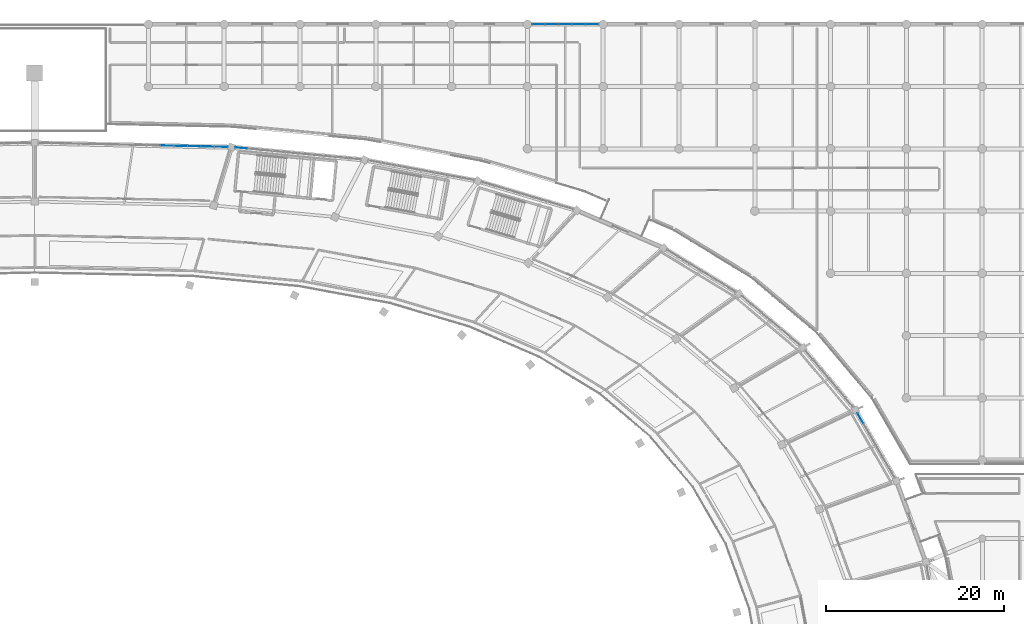
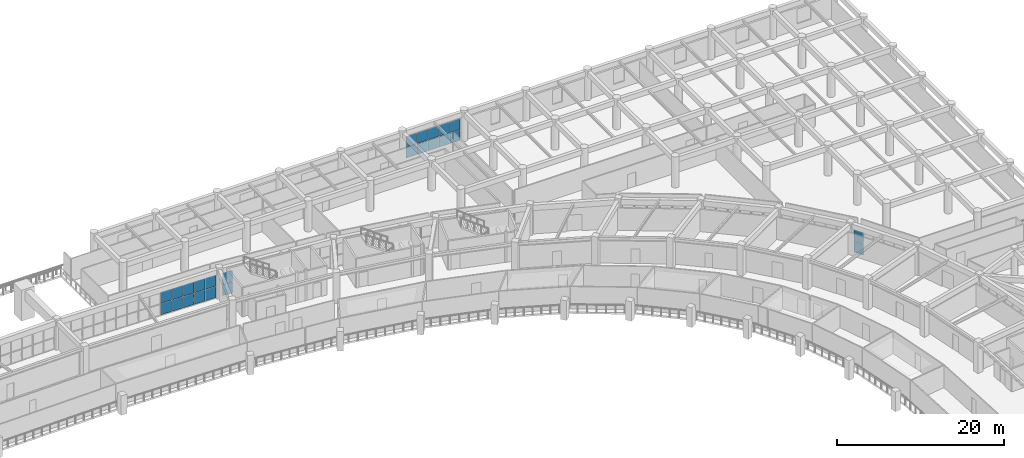
# One storey, part 87 of 141: 24 plates, 4 elements without a shape of their own.
"""IFC4 building model written with IfcOpenShell, lengths in metres."""

from ifc_helpers import new_model, si_unit, direction, frame, origin, origin_2d, place, context, subcontext, project, spatial, rectangle, extrude, material, layer, layer_set, type_object, element, aggregate, save


model = new_model("IFC4")

# Units and contexts
model_context = context("Model", 3, precision=1e-05, world=origin(), true_north=direction((0.0, 1.0)))
body_context = subcontext(model_context, "Body", "Model", "MODEL_VIEW")
ifc_project = project(units=[si_unit("LENGTHUNIT", "METRE"), si_unit("AREAUNIT", "SQUARE_METRE"), si_unit("VOLUMEUNIT", "CUBIC_METRE"), si_unit("PLANEANGLEUNIT", "RADIAN"), si_unit("MASSUNIT", "GRAM", prefix="KILO")], contexts=[model_context])

# Site, building, storey
site_placement = place(None, origin())
site = spatial("IfcSite", under=ifc_project, at=site_placement, CompositionType="ELEMENT")
building_placement = place(site_placement, origin())
building = spatial("IfcBuilding", under=site, at=building_placement, Name="Mphavela Belvedere Stadium", CompositionType="ELEMENT")
storey_placement = place(building_placement, frame((0.0, 0.0, 14.699951171875)))
storey = spatial("IfcBuildingStorey", under=building, at=storey_placement, Name="L03", CompositionType="ELEMENT", Elevation=14.699951171875)

# Curtain wall, plates
ifc_material_1 = material(Name="Anodised bronze unitised curtain wall framing")
ifc_layer_1 = layer(ifc_material_1, 0.18994140625)
ifc_layer_set_1 = layer_set([ifc_layer_1], Name="Anodised bronze unitised curtain wall framing")
curtain_wall_type_1 = type_object("IfcCurtainWallType", Name="CW-UNIT-03", PredefinedType="USERDEFINED", material=ifc_layer_set_1)
curtain_wall_1_placement = place(storey_placement, origin())
curtain_wall_1 = element("IfcCurtainWall", 1, at=curtain_wall_1_placement, inside=storey, type_object=curtain_wall_type_1, Name="Belvedere colonnade curtain wall L03-04", ObjectType="UNITISED CURTAIN WALL", PredefinedType="USERDEFINED")
ifc_material_2 = material(Name="Solar-control double glazing", Category="glass")
ifc_layer_2 = layer(ifc_material_2, 0.031982421875)
ifc_layer_set_2 = layer_set([ifc_layer_2], Name="Solar-control double glazing")
plate_type = type_object("IfcPlateType", Name="CWP-SOLAR-GLASS", PredefinedType="CURTAIN_PANEL", material=ifc_layer_set_2)
plate_1_placement = place(storey_placement, frame((207.790771484375, 129.71337890625, 0.06005859375), z_axis=(0.0, 0.0, 1.0), x_axis=(-0.50055409961, 0.865705257789, 0.0)))
plate_1 = element("IfcPlate", 2, at=plate_1_placement, type_object=plate_type, Name="CW-03 panel 6.1", PredefinedType="CURTAIN_PANEL", context=body_context, shape_type="SweptSolid", body=[
    extrude(rectangle(XDim=1.314453125, YDim=0.031982421875, at=origin_2d()), origin(), (0.0, 0.0, 1.0), 1.6201171875),
])
plate_2_placement = place(storey_placement, frame((207.790771484375, 129.71337890625, 1.739990234375), z_axis=(0.0, 0.0, 1.0), x_axis=(-0.50055409961, 0.865705257789, 0.0)))
plate_2 = element("IfcPlate", 3, at=plate_2_placement, type_object=plate_type, Name="CW-03 panel 6.2", PredefinedType="CURTAIN_PANEL", context=body_context, shape_type="SweptSolid", body=[
    extrude(rectangle(XDim=1.314453125, YDim=0.031982421875, at=origin_2d()), origin(), (0.0, 0.0, 1.0), 1.6201171875),
])
aggregate(curtain_wall_1, [plate_1, plate_2])

curtain_wall_2_placement = place(storey_placement, origin())
curtain_wall_2 = element("IfcCurtainWall", 4, at=curtain_wall_2_placement, inside=storey, type_object=curtain_wall_type_1, Name="Belvedere colonnade curtain wall L03-11", ObjectType="UNITISED CURTAIN WALL", PredefinedType="USERDEFINED")
plate_3_placement = place(storey_placement, frame((138.212890625, 160.089111328125, 0.06005859375), z_axis=(0.0, 0.0, 1.0), x_axis=(-0.99548400913, 0.094929381996, 0.0)))
plate_3 = element("IfcPlate", 5, at=plate_3_placement, type_object=plate_type, Name="CW-03 panel 10.1", PredefinedType="CURTAIN_PANEL", context=body_context, shape_type="SweptSolid", body=[
    extrude(rectangle(XDim=1.33056640625, YDim=0.031982421875, at=origin_2d()), origin(), (0.0, 0.0, 1.0), 1.6201171875),
])
plate_4_placement = place(storey_placement, frame((138.212890625, 160.089111328125, 1.739990234375), z_axis=(0.0, 0.0, 1.0), x_axis=(-0.99548400913, 0.094929381996, 0.0)))
plate_4 = element("IfcPlate", 6, at=plate_4_placement, type_object=plate_type, Name="CW-03 panel 10.2", PredefinedType="CURTAIN_PANEL", context=body_context, shape_type="SweptSolid", body=[
    extrude(rectangle(XDim=1.33056640625, YDim=0.031982421875, at=origin_2d()), origin(), (0.0, 0.0, 1.0), 1.6201171875),
])
aggregate(curtain_wall_2, [plate_3, plate_4])

ifc_material_3 = material(Name="Anodised bronze unitised curtain wall framing")
ifc_layer_3 = layer(ifc_material_3, 0.195068359375)
ifc_layer_set_3 = layer_set([ifc_layer_3], Name="Anodised bronze unitised curtain wall framing")
curtain_wall_type_2 = type_object("IfcCurtainWallType", Name="CW-UNIT-04", PredefinedType="USERDEFINED", material=ifc_layer_set_3)
curtain_wall_3_placement = place(storey_placement, origin())
curtain_wall_3 = element("IfcCurtainWall", 7, at=curtain_wall_3_placement, inside=storey, type_object=curtain_wall_type_2, Name="Belvedere colonnade curtain wall L03-12", ObjectType="UNITISED CURTAIN WALL", PredefinedType="USERDEFINED")
plate_5_placement = place(storey_placement, frame((135.96240234375, 160.218505859375, 0.06005859375), z_axis=(0.0, 0.0, 1.0), x_axis=(-0.999768179453, 0.02153107878, 0.0)))
plate_5 = element("IfcPlate", 8, at=plate_5_placement, type_object=plate_type, Name="CW-04 panel 1.1", PredefinedType="CURTAIN_PANEL", context=body_context, shape_type="SweptSolid", body=[
    extrude(rectangle(XDim=1.42919921875, YDim=0.031982421875, at=origin_2d()), origin(), (0.0, 0.0, 1.0), 1.6201171875),
])
plate_6_placement = place(storey_placement, frame((135.96240234375, 160.218505859375, 1.739990234375), z_axis=(0.0, 0.0, 1.0), x_axis=(-0.999768179453, 0.02153107878, 0.0)))
plate_6 = element("IfcPlate", 9, at=plate_6_placement, type_object=plate_type, Name="CW-04 panel 1.2", PredefinedType="CURTAIN_PANEL", context=body_context, shape_type="SweptSolid", body=[
    extrude(rectangle(XDim=1.42919921875, YDim=0.031982421875, at=origin_2d()), origin(), (0.0, 0.0, 1.0), 1.6201171875),
])
plate_7_placement = place(storey_placement, frame((134.4521484375, 160.251220703125, 0.06005859375), z_axis=(0.0, 0.0, 1.0), x_axis=(-0.999768179453, 0.02153107878, 0.0)))
plate_7 = element("IfcPlate", 10, at=plate_7_placement, type_object=plate_type, Name="CW-04 panel 2.1", PredefinedType="CURTAIN_PANEL", context=body_context, shape_type="SweptSolid", body=[
    extrude(rectangle(XDim=1.461669921875, YDim=0.031982421875, at=origin_2d()), origin(), (0.0, 0.0, 1.0), 1.6201171875),
])
plate_8_placement = place(storey_placement, frame((134.4521484375, 160.251220703125, 1.739990234375), z_axis=(0.0, 0.0, 1.0), x_axis=(-0.999768179453, 0.02153107878, 0.0)))
plate_8 = element("IfcPlate", 11, at=plate_8_placement, type_object=plate_type, Name="CW-04 panel 2.2", PredefinedType="CURTAIN_PANEL", context=body_context, shape_type="SweptSolid", body=[
    extrude(rectangle(XDim=1.461669921875, YDim=0.031982421875, at=origin_2d()), origin(), (0.0, 0.0, 1.0), 1.6201171875),
])
plate_9_placement = place(storey_placement, frame((132.92578125, 160.283935546875, 0.06005859375), z_axis=(0.0, 0.0, 1.0), x_axis=(-0.999768179453, 0.02153107878, 0.0)))
plate_9 = element("IfcPlate", 12, at=plate_9_placement, type_object=plate_type, Name="CW-04 panel 3.1", PredefinedType="CURTAIN_PANEL", context=body_context, shape_type="SweptSolid", body=[
    extrude(rectangle(XDim=1.461669921875, YDim=0.031982421875, at=origin_2d()), origin(), (0.0, 0.0, 1.0), 1.6201171875),
])
plate_10_placement = place(storey_placement, frame((132.92578125, 160.283935546875, 1.739990234375), z_axis=(0.0, 0.0, 1.0), x_axis=(-0.999768179453, 0.02153107878, 0.0)))
plate_10 = element("IfcPlate", 13, at=plate_10_placement, type_object=plate_type, Name="CW-04 panel 3.2", PredefinedType="CURTAIN_PANEL", context=body_context, shape_type="SweptSolid", body=[
    extrude(rectangle(XDim=1.461669921875, YDim=0.031982421875, at=origin_2d()), origin(), (0.0, 0.0, 1.0), 1.6201171875),
])
plate_11_placement = place(storey_placement, frame((131.3994140625, 160.31689453125, 0.06005859375), z_axis=(0.0, 0.0, 1.0), x_axis=(-0.999768179453, 0.02153107878, 0.0)))
plate_11 = element("IfcPlate", 14, at=plate_11_placement, type_object=plate_type, Name="CW-04 panel 4.1", PredefinedType="CURTAIN_PANEL", context=body_context, shape_type="SweptSolid", body=[
    extrude(rectangle(XDim=1.461669921875, YDim=0.031982421875, at=origin_2d()), origin(), (0.0, 0.0, 1.0), 1.6201171875),
])
plate_12_placement = place(storey_placement, frame((131.3994140625, 160.31689453125, 1.739990234375), z_axis=(0.0, 0.0, 1.0), x_axis=(-0.999768179453, 0.02153107878, 0.0)))
plate_12 = element("IfcPlate", 15, at=plate_12_placement, type_object=plate_type, Name="CW-04 panel 4.2", PredefinedType="CURTAIN_PANEL", context=body_context, shape_type="SweptSolid", body=[
    extrude(rectangle(XDim=1.461669921875, YDim=0.031982421875, at=origin_2d()), origin(), (0.0, 0.0, 1.0), 1.6201171875),
])
plate_13_placement = place(storey_placement, frame((129.873046875, 160.349609375, 0.06005859375), z_axis=(0.0, 0.0, 1.0), x_axis=(-0.999768179453, 0.02153107878, 0.0)))
plate_13 = element("IfcPlate", 16, at=plate_13_placement, type_object=plate_type, Name="CW-04 panel 5.1", PredefinedType="CURTAIN_PANEL", context=body_context, shape_type="SweptSolid", body=[
    extrude(rectangle(XDim=1.461669921875, YDim=0.031982421875, at=origin_2d()), origin(), (0.0, 0.0, 1.0), 1.6201171875),
])
plate_14_placement = place(storey_placement, frame((129.873046875, 160.349609375, 1.739990234375), z_axis=(0.0, 0.0, 1.0), x_axis=(-0.999768179453, 0.02153107878, 0.0)))
plate_14 = element("IfcPlate", 17, at=plate_14_placement, type_object=plate_type, Name="CW-04 panel 5.2", PredefinedType="CURTAIN_PANEL", context=body_context, shape_type="SweptSolid", body=[
    extrude(rectangle(XDim=1.461669921875, YDim=0.031982421875, at=origin_2d()), origin(), (0.0, 0.0, 1.0), 1.6201171875),
])
aggregate(curtain_wall_3, [plate_5, plate_6, plate_7, plate_8, plate_9, plate_10, plate_11, plate_12, plate_13, plate_14])

curtain_wall_4_placement = place(storey_placement, origin())
curtain_wall_4 = element("IfcCurtainWall", 18, at=curtain_wall_4_placement, inside=storey, type_object=curtain_wall_type_1, Name="North Mast and Ceremonial End Forecourt gallery curtain wall L03-21", ObjectType="UNITISED CURTAIN WALL", PredefinedType="USERDEFINED")
plate_15_placement = place(storey_placement, frame((171.616455078125, 174.0, 0.06005859375), z_axis=(0.0, 0.0, 1.0), x_axis=(1.0, 0.0, 0.0)))
plate_15 = element("IfcPlate", 19, at=plate_15_placement, type_object=plate_type, Name="CW-03 panel 1.1", PredefinedType="CURTAIN_PANEL", context=body_context, shape_type="SweptSolid", body=[
    extrude(rectangle(XDim=1.4169921875, YDim=0.031982421875, at=origin_2d()), origin(), (0.0, 0.0, 1.0), 1.5400390625),
])
plate_16_placement = place(storey_placement, frame((171.616455078125, 174.0, 1.659912109375), z_axis=(0.0, 0.0, 1.0), x_axis=(1.0, 0.0, 0.0)))
plate_16 = element("IfcPlate", 20, at=plate_16_placement, type_object=plate_type, Name="CW-03 panel 1.2", PredefinedType="CURTAIN_PANEL", context=body_context, shape_type="SweptSolid", body=[
    extrude(rectangle(XDim=1.4169921875, YDim=0.031982421875, at=origin_2d()), origin(), (0.0, 0.0, 1.0), 1.5400390625),
])
plate_17_placement = place(storey_placement, frame((173.114990234375, 174.0, 0.06005859375), z_axis=(0.0, 0.0, 1.0), x_axis=(1.0, 0.0, 0.0)))
plate_17 = element("IfcPlate", 21, at=plate_17_placement, type_object=plate_type, Name="CW-03 panel 2.1", PredefinedType="CURTAIN_PANEL", context=body_context, shape_type="SweptSolid", body=[
    extrude(rectangle(XDim=1.44970703125, YDim=0.031982421875, at=origin_2d()), origin(), (0.0, 0.0, 1.0), 1.5400390625),
])
plate_18_placement = place(storey_placement, frame((173.114990234375, 174.0, 1.659912109375), z_axis=(0.0, 0.0, 1.0), x_axis=(1.0, 0.0, 0.0)))
plate_18 = element("IfcPlate", 22, at=plate_18_placement, type_object=plate_type, Name="CW-03 panel 2.2", PredefinedType="CURTAIN_PANEL", context=body_context, shape_type="SweptSolid", body=[
    extrude(rectangle(XDim=1.44970703125, YDim=0.031982421875, at=origin_2d()), origin(), (0.0, 0.0, 1.0), 1.5400390625),
])
plate_19_placement = place(storey_placement, frame((174.62939453125, 174.0, 0.06005859375), z_axis=(0.0, 0.0, 1.0), x_axis=(1.0, 0.0, 0.0)))
plate_19 = element("IfcPlate", 23, at=plate_19_placement, type_object=plate_type, Name="CW-03 panel 3.1", PredefinedType="CURTAIN_PANEL", context=body_context, shape_type="SweptSolid", body=[
    extrude(rectangle(XDim=1.44970703125, YDim=0.031982421875, at=origin_2d()), origin(), (0.0, 0.0, 1.0), 1.5400390625),
])
plate_20_placement = place(storey_placement, frame((174.62939453125, 174.0, 1.659912109375), z_axis=(0.0, 0.0, 1.0), x_axis=(1.0, 0.0, 0.0)))
plate_20 = element("IfcPlate", 24, at=plate_20_placement, type_object=plate_type, Name="CW-03 panel 3.2", PredefinedType="CURTAIN_PANEL", context=body_context, shape_type="SweptSolid", body=[
    extrude(rectangle(XDim=1.44970703125, YDim=0.031982421875, at=origin_2d()), origin(), (0.0, 0.0, 1.0), 1.5400390625),
])
plate_21_placement = place(storey_placement, frame((176.14404296875, 174.0, 0.06005859375), z_axis=(0.0, 0.0, 1.0), x_axis=(1.0, 0.0, 0.0)))
plate_21 = element("IfcPlate", 25, at=plate_21_placement, type_object=plate_type, Name="CW-03 panel 4.1", PredefinedType="CURTAIN_PANEL", context=body_context, shape_type="SweptSolid", body=[
    extrude(rectangle(XDim=1.44970703125, YDim=0.031982421875, at=origin_2d()), origin(), (0.0, 0.0, 1.0), 1.5400390625),
])
plate_22_placement = place(storey_placement, frame((176.14404296875, 174.0, 1.659912109375), z_axis=(0.0, 0.0, 1.0), x_axis=(1.0, 0.0, 0.0)))
plate_22 = element("IfcPlate", 26, at=plate_22_placement, type_object=plate_type, Name="CW-03 panel 4.2", PredefinedType="CURTAIN_PANEL", context=body_context, shape_type="SweptSolid", body=[
    extrude(rectangle(XDim=1.44970703125, YDim=0.031982421875, at=origin_2d()), origin(), (0.0, 0.0, 1.0), 1.5400390625),
])
plate_23_placement = place(storey_placement, frame((177.642333984375, 174.0, 0.06005859375), z_axis=(0.0, 0.0, 1.0), x_axis=(1.0, 0.0, 0.0)))
plate_23 = element("IfcPlate", 27, at=plate_23_placement, type_object=plate_type, Name="CW-03 panel 5.1", PredefinedType="CURTAIN_PANEL", context=body_context, shape_type="SweptSolid", body=[
    extrude(rectangle(XDim=1.4169921875, YDim=0.031982421875, at=origin_2d()), origin(), (0.0, 0.0, 1.0), 1.5400390625),
])
plate_24_placement = place(storey_placement, frame((177.642333984375, 174.0, 1.659912109375), z_axis=(0.0, 0.0, 1.0), x_axis=(1.0, 0.0, 0.0)))
plate_24 = element("IfcPlate", 28, at=plate_24_placement, type_object=plate_type, Name="CW-03 panel 5.2", PredefinedType="CURTAIN_PANEL", context=body_context, shape_type="SweptSolid", body=[
    extrude(rectangle(XDim=1.4169921875, YDim=0.031982421875, at=origin_2d()), origin(), (0.0, 0.0, 1.0), 1.5400390625),
])
aggregate(curtain_wall_4, [plate_15, plate_16, plate_17, plate_18, plate_19, plate_20, plate_21, plate_22, plate_23, plate_24])

save(model, "model.ifc")
